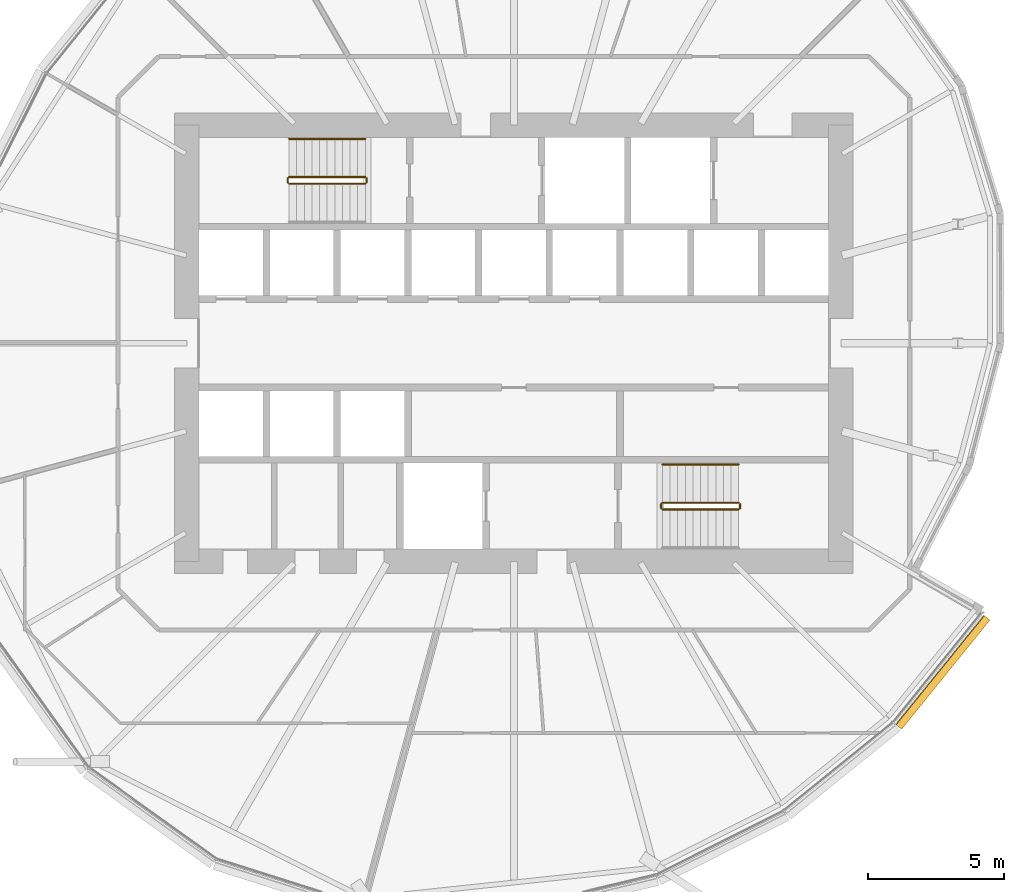
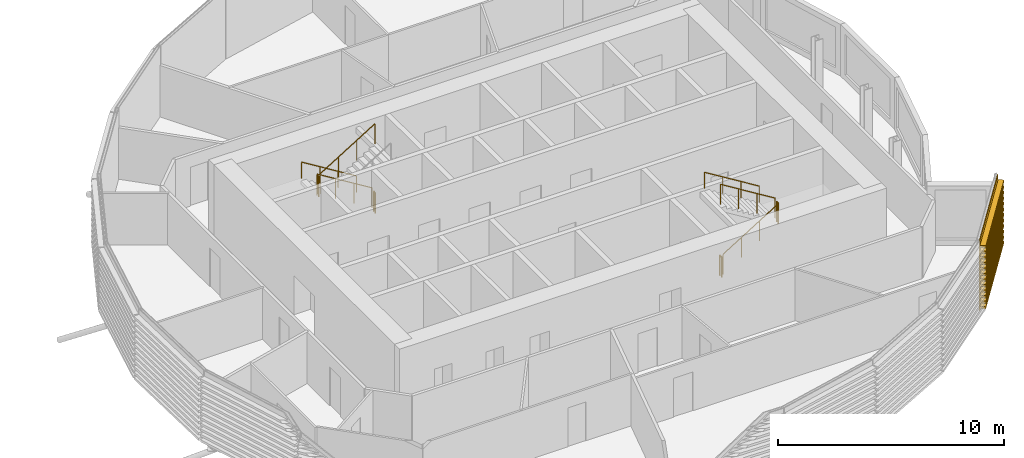
# One storey, part 35 of 36: 10 railings, 1 covering.
"""IFC4 building model written with IfcOpenShell, lengths in metres."""

import ifcopenshell
import ifcopenshell.guid

model = None  # the IFC model being written
_history = None  # IfcOwnerHistory: only IFC2X3 demands one
_inside = {}  # id of a spatial element -> (the spatial element, [elements in it])
_under = {}  # id of a project, library or spatial element -> (it, [spatial elements below it])
_declared = {}  # id of a project -> (the project, [libraries it declares])
_typed = {}  # id of a type object -> (the type object, [elements of that type])
_made_of = {}  # id of a material, layer set ... -> (it, [elements and type objects made of it])


def new_model(schema):
    """Start an empty IFC model of exactly this schema.

    Asked for "IFC4X3", IfcOpenShell would pick the latest addendum, in which some entities
    have other attributes; the version numbers below select the first issue.
    IFC2X3 requires an IfcOwnerHistory on every rooted entity: one is made here for all.
    """
    global model, _history
    if schema == "IFC4X3":
        model = ifcopenshell.file(schema_version=(4, 3, 0, 0))
    else:
        model = ifcopenshell.file(schema=schema)
    _inside.clear()
    _under.clear()
    _declared.clear()
    _typed.clear()
    _made_of.clear()
    _history = None
    if model.schema == "IFC2X3":
        org = make("IfcOrganization", Name="unknown")
        user = make(
            "IfcPersonAndOrganization",
            ThePerson=make("IfcPerson", FamilyName="unknown"),
            TheOrganization=org,
        )
        app = make(
            "IfcApplication",
            ApplicationDeveloper=org,
            Version="unknown",
            ApplicationFullName="unknown",
            ApplicationIdentifier="unknown",
        )
        _history = make(
            "IfcOwnerHistory",
            OwningUser=user,
            OwningApplication=app,
            ChangeAction="ADDED",
            CreationDate=0,
        )
    return model


def make(cls, **values):
    """One entity of the class cls with the attributes given. An attribute that is None is left unset."""
    return model.create_entity(
        cls, **{name: value for name, value in values.items() if value is not None}
    )


def rooted(cls, **values):
    """An entity with a GlobalId (a new one), such as an element, a storey or a relation."""
    return make(cls, GlobalId=ifcopenshell.guid.new(), OwnerHistory=_history, **values)


def si_unit(unit_type, name, prefix=None):
    """IfcSIUnit, for example si_unit("LENGTHUNIT", "METRE", prefix="MILLI")."""
    return make("IfcSIUnit", UnitType=unit_type, Prefix=prefix, Name=name)


def assignment(units):
    """IfcUnitAssignment: the units of a project."""
    return None if units is None else make("IfcUnitAssignment", Units=units)


def point(xyz):
    """IfcCartesianPoint."""
    return None if xyz is None else make("IfcCartesianPoint", Coordinates=xyz)


def direction(xyz):
    """IfcDirection."""
    return None if xyz is None else make("IfcDirection", DirectionRatios=xyz)


def frame(location, z_axis=None, x_axis=None):
    """IfcAxis2Placement3D, a coordinate frame: its origin and axes. An axis left out is left unset."""
    return make(
        "IfcAxis2Placement3D",
        Location=point(location),
        Axis=direction(z_axis),
        RefDirection=direction(x_axis),
    )


def frame_2d(location, x_axis=None):
    """IfcAxis2Placement2D, a coordinate frame in the plane: its origin and x axis."""
    return make(
        "IfcAxis2Placement2D", Location=point(location), RefDirection=direction(x_axis)
    )


def origin():
    """The frame at (0, 0, 0) with its axes left unset."""
    return frame((0.0, 0.0, 0.0))


def origin_2d():
    """The frame at (0, 0) in the plane with its x axis left unset."""
    return frame_2d((0.0, 0.0))


def place(relative_to, where):
    """IfcLocalPlacement: puts the frame where relative to a parent placement (None: the world)."""
    return make(
        "IfcLocalPlacement", PlacementRelTo=relative_to, RelativePlacement=where
    )


def context(
    kind, dimensions, precision=None, world=None, true_north=None, identifier=None
):
    """IfcGeometricRepresentationContext, for example the 3D "Model" context."""
    return make(
        "IfcGeometricRepresentationContext",
        ContextIdentifier=identifier,
        ContextType=kind,
        CoordinateSpaceDimension=dimensions,
        Precision=precision,
        WorldCoordinateSystem=world,
        TrueNorth=true_north,
    )


def subcontext(parent, identifier, kind, view, scale=None):
    """IfcGeometricRepresentationSubContext, for example "Body" below "Model"."""
    return make(
        "IfcGeometricRepresentationSubContext",
        ContextIdentifier=identifier,
        ContextType=kind,
        ParentContext=parent,
        TargetScale=scale,
        TargetView=view,
    )


def project(units=None, contexts=None):
    """IfcProject with its units and contexts."""
    return rooted(
        "IfcProject",
        Name="project",
        RepresentationContexts=contexts,
        UnitsInContext=assignment(units),
    )


def spatial(cls, under=None, at=None, **own):
    """A site, building, storey or space (cls), placed at a placement, below another one or the project."""
    s = rooted(cls, ObjectPlacement=at, **own)
    if under is not None:
        _under.setdefault(under.id(), (under, []))[1].append(s)
    return s


def polyline(points):
    """IfcPolyline through the points."""
    return make("IfcPolyline", Points=[point(p) for p in points])


def profile(cls, at=None, kind="AREA", **sizes):
    """A parametric profile (cls). Its sizes go by their IFC names, for example OverallWidth=200.0."""
    return make(cls, ProfileType=kind, Position=at, **sizes)


def circle(**sizes):
    """IfcCircleProfileDef."""
    return profile("IfcCircleProfileDef", **sizes)


def outline(outer, holes=None, kind="AREA"):
    """IfcArbitraryClosedProfileDef: a profile drawn as a closed curve; with holes, ...WithVoids."""
    if holes is None:
        return make("IfcArbitraryClosedProfileDef", ProfileType=kind, OuterCurve=outer)
    return make(
        "IfcArbitraryProfileDefWithVoids",
        ProfileType=kind,
        OuterCurve=outer,
        InnerCurves=holes,
    )


def extrude(swept, where, along, depth):
    """IfcExtrudedAreaSolid: the profile swept, set in the frame where, extruded along a direction by depth."""
    return make(
        "IfcExtrudedAreaSolid",
        SweptArea=swept,
        Position=where,
        ExtrudedDirection=direction(along),
        Depth=depth,
    )


def shape(context_of_items, identifier, shape_type, items):
    """IfcShapeRepresentation: the items that make up one representation, for example the "Body"."""
    return make(
        "IfcShapeRepresentation",
        ContextOfItems=context_of_items,
        RepresentationIdentifier=identifier,
        RepresentationType=shape_type,
        Items=items,
    )


def material(Name=None, Category=None):
    """IfcMaterial."""
    return make("IfcMaterial", Name=Name, Category=Category)


def material_profile(
    of_material, cross_section, Name=None, Category=None, Priority=None
):
    """IfcMaterialProfile: a cross section and its material."""
    return make(
        "IfcMaterialProfile",
        Name=Name,
        Material=of_material,
        Profile=cross_section,
        Priority=Priority,
        Category=Category,
    )


def profile_set(profiles, Name=None, composite=None):
    """IfcMaterialProfileSet."""
    return make(
        "IfcMaterialProfileSet",
        Name=Name,
        MaterialProfiles=profiles,
        CompositeProfile=composite,
    )


def made_of(thing, what):
    """Note that an element or type object is made of a material, layer set ...; save() writes the relation."""
    if what is not None:
        _made_of.setdefault(what.id(), (what, []))[1].append(thing)
    return thing


def type_object(cls, material=None, **own):
    """A type object (cls), such as IfcWallType, which elements share."""
    return made_of(rooted(cls, **own), material)


def element(
    cls,
    number,
    at=None,
    inside=None,
    cuts=None,
    type_object=None,
    material=None,
    context=None,
    identifier="Body",
    shape_type=None,
    held_by="IfcProductDefinitionShape",
    body=None,
    shapes=None,
    **own,
):
    """One element of the class cls, such as IfcWall. Its Tag is "e" and its number.

    at: its placement. inside: the storey or other place that contains it. cuts: it is an
    opening in that element (IfcRelVoidsElement). A single representation is given by context,
    identifier, shape_type and body (its items); several are given by shapes. held_by: the class
    of the entity that holds the representations. save() writes the other relations.
    """
    e = rooted(cls, Tag="e%d" % number, ObjectPlacement=at, **own)
    if body is not None:
        shapes = [shape(context, identifier, shape_type, body)]
    if shapes is not None:
        e.Representation = make(held_by, Representations=shapes)
    if inside is not None:
        _inside.setdefault(inside.id(), (inside, []))[1].append(e)
    if cuts is not None:
        rooted(
            "IfcRelVoidsElement", RelatingBuildingElement=cuts, RelatedOpeningElement=e
        )
    if type_object is not None:
        _typed.setdefault(type_object.id(), (type_object, []))[1].append(e)
    return made_of(e, material)


def aggregate(whole, parts):
    """IfcRelAggregates: a whole, such as a stair, and the parts it consists of."""
    return rooted("IfcRelAggregates", RelatingObject=whole, RelatedObjects=parts)


def save(model, path):
    """Write the relations noted so far, then the file.

    IfcRelAggregates (storeys below a building ...), IfcRelContainedInSpatialStructure (elements
    in a storey), IfcRelDefinesByType, IfcRelAssociatesMaterial and IfcRelDeclares: one each for
    every whole, place, type object, material and project.
    """
    for whole, parts in _under.values():
        aggregate(whole, parts)
    for where, things in _inside.values():
        rooted(
            "IfcRelContainedInSpatialStructure",
            RelatedElements=things,
            RelatingStructure=where,
        )
    for kind, things in _typed.values():
        rooted("IfcRelDefinesByType", RelatedObjects=things, RelatingType=kind)
    for what, things in _made_of.values():
        rooted("IfcRelAssociatesMaterial", RelatedObjects=things, RelatingMaterial=what)
    for by, libraries in _declared.values():
        rooted("IfcRelDeclares", RelatingContext=by, RelatedDefinitions=libraries)
    model.write(path)


model = new_model("IFC4")

# Units and contexts
model_context = context("Model", 3, precision=1e-05, world=origin(), true_north=direction((0.0, 1.0)))
body_context = subcontext(model_context, "Body", "Model", "MODEL_VIEW")
ifc_project = project(units=[si_unit("LENGTHUNIT", "METRE"), si_unit("AREAUNIT", "SQUARE_METRE"), si_unit("VOLUMEUNIT", "CUBIC_METRE"), si_unit("PLANEANGLEUNIT", "RADIAN"), si_unit("MASSUNIT", "GRAM", prefix="KILO")], contexts=[model_context])

# Site, building, storey
site_placement = place(None, origin())
site = spatial("IfcSite", under=ifc_project, at=site_placement, CompositionType="ELEMENT")
building_placement = place(site_placement, origin())
building = spatial("IfcBuilding", under=site, at=building_placement, Name="Rimbun Link Towers", CompositionType="ELEMENT")
storey_placement = place(building_placement, frame((0.0, 0.0, 37.60009765625)))
storey = spatial("IfcBuildingStorey", under=building, at=storey_placement, Name="L08", CompositionType="ELEMENT", Elevation=37.60009765625)

# Railings
ifc_material_1 = material(Name="Stainless steel grade 316", Category="steel")
railing_type_1 = type_object("IfcRailingType", Name="Stair guard", PredefinedType="GUARDRAIL", material=ifc_material_1)
railing_1_placement = place(storey_placement, frame((26.300048828125, 6.10009765625, 0.172607421875)))
element("IfcRailing", 1, at=railing_1_placement, inside=storey, type_object=railing_type_1, Name="L08 ST3 stair guard 1", PredefinedType="GUARDRAIL", context=body_context, shape_type="SweptSolid", body=[
    extrude(circle(Radius=0.02392578125, at=origin_2d()), frame((0.0, 0.0, 1.076171875), z_axis=(-0.851089632645, 0.0, 0.525020415988), x_axis=(0.0, -1.0, 0.0)), (0.0, 0.0, 1.0), 3.2900390625),
    extrude(circle(Radius=0.02099609375, at=origin_2d()), origin(), (0.0, 0.0, 1.0), 1.052001953125),
    extrude(circle(Radius=0.02099609375, at=origin_2d()), frame((-0.933349609375, 0.0, 0.57568359375)), (0.0, 0.0, 1.0), 1.052001953125),
    extrude(circle(Radius=0.02099609375, at=origin_2d()), frame((-1.86669921875, 0.0, 1.151611328125)), (0.0, 0.0, 1.0), 1.052001953125),
    extrude(circle(Radius=0.02099609375, at=origin_2d()), frame((-2.800048828125, 0.0, 1.727294921875)), (0.0, 0.0, 1.0), 1.052001953125),
])
railing_2_placement = place(storey_placement, frame((23.449951171875, 6.050048828125, 1.89990234375)))
element("IfcRailing", 2, at=railing_2_placement, inside=storey, type_object=railing_type_1, Name="L08 ST3 stair guard 2", PredefinedType="GUARDRAIL", context=body_context, shape_type="SweptSolid", body=[
    extrude(circle(Radius=0.02392578125, at=origin_2d()), frame((0.0, 0.0, 1.076171875), z_axis=(0.0, -1.0, 0.0), x_axis=(1.0, 0.0, 0.0)), (0.0, 0.0, 1.0), 0.150146484375),
    extrude(circle(Radius=0.02099609375, at=origin_2d()), origin(), (0.0, 0.0, 1.0), 1.052001953125),
    extrude(circle(Radius=0.02099609375, at=origin_2d()), frame((0.0, -0.150146484375, 0.0)), (0.0, 0.0, 1.0), 1.052001953125),
])
railing_3_placement = place(storey_placement, frame((23.5, 5.85009765625, 2.072509765625)))
element("IfcRailing", 3, at=railing_3_placement, inside=storey, type_object=railing_type_1, Name="L08 ST3 stair guard 3", PredefinedType="GUARDRAIL", context=body_context, shape_type="SweptSolid", body=[
    extrude(circle(Radius=0.02392578125, at=origin_2d()), frame((0.0, 0.0, 1.076171875), z_axis=(0.851089632645, 0.0, 0.525020415988), x_axis=(0.0, 1.0, 0.0)), (0.0, 0.0, 1.0), 3.2900390625),
    extrude(circle(Radius=0.02099609375, at=origin_2d()), origin(), (0.0, 0.0, 1.0), 1.052001953125),
    extrude(circle(Radius=0.02099609375, at=origin_2d()), frame((0.933349609375, 0.0, 0.57568359375)), (0.0, 0.0, 1.0), 1.052001953125),
    extrude(circle(Radius=0.02099609375, at=origin_2d()), frame((1.86669921875, 0.0, 1.151611328125)), (0.0, 0.0, 1.0), 1.052001953125),
    extrude(circle(Radius=0.02099609375, at=origin_2d()), frame((2.800048828125, 0.0, 1.727294921875)), (0.0, 0.0, 1.0), 1.052001953125),
])
railing_4_placement = place(storey_placement, frame((26.35009765625, 6.050048828125, 0.0)))
element("IfcRailing", 4, at=railing_4_placement, inside=storey, type_object=railing_type_1, Name="L08 ST3 stair guard 4", PredefinedType="GUARDRAIL", context=body_context, shape_type="SweptSolid", body=[
    extrude(circle(Radius=0.02392578125, at=origin_2d()), frame((0.0, 0.0, 1.076171875), z_axis=(0.0, -1.0, 0.0), x_axis=(1.0, 0.0, 0.0)), (0.0, 0.0, 1.0), 0.150146484375),
    extrude(circle(Radius=0.02099609375, at=origin_2d()), origin(), (0.0, 0.0, 1.0), 1.052001953125),
    extrude(circle(Radius=0.02099609375, at=origin_2d()), frame((0.0, -0.150146484375, 0.0)), (0.0, 0.0, 1.0), 1.052001953125),
])
railing_5_placement = place(storey_placement, frame((37.199951171875, -6.10009765625, 0.172607421875)))
element("IfcRailing", 5, at=railing_5_placement, inside=storey, type_object=railing_type_1, Name="L08 ST4 stair guard 1", PredefinedType="GUARDRAIL", context=body_context, shape_type="SweptSolid", body=[
    extrude(circle(Radius=0.02392578125, at=origin_2d()), frame((0.0, 0.0, 1.076171875), z_axis=(0.851089632645, 0.0, 0.525020415988), x_axis=(0.0, 1.0, 0.0)), (0.0, 0.0, 1.0), 3.2900390625),
    extrude(circle(Radius=0.02099609375, at=origin_2d()), origin(), (0.0, 0.0, 1.0), 1.052001953125),
    extrude(circle(Radius=0.02099609375, at=origin_2d()), frame((0.933349609375, 0.0, 0.57568359375)), (0.0, 0.0, 1.0), 1.052001953125),
    extrude(circle(Radius=0.02099609375, at=origin_2d()), frame((1.86669921875, 0.0, 1.151611328125)), (0.0, 0.0, 1.0), 1.052001953125),
    extrude(circle(Radius=0.02099609375, at=origin_2d()), frame((2.800048828125, 0.0, 1.727294921875)), (0.0, 0.0, 1.0), 1.052001953125),
])
railing_6_placement = place(storey_placement, frame((40.050048828125, -6.050048828125, 1.89990234375)))
element("IfcRailing", 6, at=railing_6_placement, inside=storey, type_object=railing_type_1, Name="L08 ST4 stair guard 2", PredefinedType="GUARDRAIL", context=body_context, shape_type="SweptSolid", body=[
    extrude(circle(Radius=0.02392578125, at=origin_2d()), frame((0.0, 0.0, 1.076171875), z_axis=(0.0, 1.0, 0.0), x_axis=(-1.0, 0.0, 0.0)), (0.0, 0.0, 1.0), 0.150146484375),
    extrude(circle(Radius=0.02099609375, at=origin_2d()), origin(), (0.0, 0.0, 1.0), 1.052001953125),
    extrude(circle(Radius=0.02099609375, at=origin_2d()), frame((0.0, 0.150146484375, 0.0)), (0.0, 0.0, 1.0), 1.052001953125),
])
railing_7_placement = place(storey_placement, frame((40.0, -5.85009765625, 2.072509765625)))
element("IfcRailing", 7, at=railing_7_placement, inside=storey, type_object=railing_type_1, Name="L08 ST4 stair guard 3", PredefinedType="GUARDRAIL", context=body_context, shape_type="SweptSolid", body=[
    extrude(circle(Radius=0.02392578125, at=origin_2d()), frame((0.0, 0.0, 1.076171875), z_axis=(-0.851089632645, 0.0, 0.525020415988), x_axis=(0.0, -1.0, 0.0)), (0.0, 0.0, 1.0), 3.2900390625),
    extrude(circle(Radius=0.02099609375, at=origin_2d()), origin(), (0.0, 0.0, 1.0), 1.052001953125),
    extrude(circle(Radius=0.02099609375, at=origin_2d()), frame((-0.933349609375, 0.0, 0.57568359375)), (0.0, 0.0, 1.0), 1.052001953125),
    extrude(circle(Radius=0.02099609375, at=origin_2d()), frame((-1.86669921875, 0.0, 1.151611328125)), (0.0, 0.0, 1.0), 1.052001953125),
    extrude(circle(Radius=0.02099609375, at=origin_2d()), frame((-2.800048828125, 0.0, 1.727294921875)), (0.0, 0.0, 1.0), 1.052001953125),
])
railing_8_placement = place(storey_placement, frame((37.14990234375, -6.050048828125, 0.0)))
element("IfcRailing", 8, at=railing_8_placement, inside=storey, type_object=railing_type_1, Name="L08 ST4 stair guard 4", PredefinedType="GUARDRAIL", context=body_context, shape_type="SweptSolid", body=[
    extrude(circle(Radius=0.02392578125, at=origin_2d()), frame((0.0, 0.0, 1.076171875), z_axis=(0.0, 1.0, 0.0), x_axis=(-1.0, 0.0, 0.0)), (0.0, 0.0, 1.0), 0.150146484375),
    extrude(circle(Radius=0.02099609375, at=origin_2d()), origin(), (0.0, 0.0, 1.0), 1.052001953125),
    extrude(circle(Radius=0.02099609375, at=origin_2d()), frame((0.0, 0.150146484375, 0.0)), (0.0, 0.0, 1.0), 1.052001953125),
])
ifc_material_2 = material(Name="Stainless steel grade 316", Category="steel")
railing_type_2 = type_object("IfcRailingType", Name="Stair handrail", PredefinedType="HANDRAIL", material=ifc_material_2)
for number, where, name in (
    (9, (26.300048828125, 7.5, 0.172607421875), "L08 ST3 stair handrail 1"),
    (10, (40.0, -4.449951171875, 2.072509765625), "L08 ST4 stair handrail 2"),
):
    element("IfcRailing", number, at=place(storey_placement, frame(where)), inside=storey, type_object=railing_type_2, Name=name, PredefinedType="HANDRAIL", context=body_context, shape_type="SweptSolid", body=[
        extrude(circle(Radius=0.02392578125, at=origin_2d()), frame((0.0, 0.0, 0.8759765625), z_axis=(-0.851089632645, 0.0, 0.525020415988), x_axis=(0.0, -1.0, 0.0)), (0.0, 0.0, 1.0), 3.2900390625),
        extrude(circle(Radius=0.02099609375, at=origin_2d()), origin(), (0.0, 0.0, 1.0), 0.851806640625),
        extrude(circle(Radius=0.02099609375, at=origin_2d()), frame((-0.933349609375, 0.0, 0.57568359375)), (0.0, 0.0, 1.0), 0.851806640625),
        extrude(circle(Radius=0.02099609375, at=origin_2d()), frame((-1.86669921875, 0.0, 1.151611328125)), (0.0, 0.0, 1.0), 0.851806640625),
        extrude(circle(Radius=0.02099609375, at=origin_2d()), frame((-2.800048828125, 0.0, 1.727294921875)), (0.0, 0.0, 1.0), 0.851806640625),
    ])

# Covering
ifc_material_3 = material(Name="Terracotta", Category="masonry")
ifc_material_profile = material_profile(ifc_material_3, outline(polyline([(0.123046875, 0.0), (0.1630859375, 0.0), (0.1630859375, 0.10009765625), (0.423095703125, 0.10009765625), (0.423095703125, 0.219970703125), (0.1630859375, 0.219970703125), (0.1630859375, 0.39990234375), (0.423095703125, 0.39990234375), (0.423095703125, 0.52001953125), (0.1630859375, 0.52001953125), (0.1630859375, 0.699951171875), (0.423095703125, 0.699951171875), (0.423095703125, 0.820068359375), (0.1630859375, 0.820068359375), (0.1630859375, 1.0), (0.423095703125, 1.0), (0.423095703125, 1.1201171875), (0.1630859375, 1.1201171875), (0.1630859375, 1.300048828125), (0.423095703125, 1.300048828125), (0.423095703125, 1.419921875), (0.1630859375, 1.419921875), (0.1630859375, 1.60009765625), (0.423095703125, 1.60009765625), (0.423095703125, 1.719970703125), (0.1630859375, 1.719970703125), (0.1630859375, 1.89990234375), (0.423095703125, 1.89990234375), (0.423095703125, 2.02001953125), (0.1630859375, 2.02001953125), (0.1630859375, 2.199951171875), (0.423095703125, 2.199951171875), (0.423095703125, 2.320068359375), (0.1630859375, 2.320068359375), (0.1630859375, 2.5), (0.423095703125, 2.5), (0.423095703125, 2.6201171875), (0.1630859375, 2.6201171875), (0.1630859375, 2.800048828125), (0.423095703125, 2.800048828125), (0.423095703125, 2.919921875), (0.1630859375, 2.919921875), (0.1630859375, 3.10009765625), (0.423095703125, 3.10009765625), (0.423095703125, 3.219970703125), (0.1630859375, 3.219970703125), (0.1630859375, 3.39990234375), (0.423095703125, 3.39990234375), (0.423095703125, 3.52001953125), (0.1630859375, 3.52001953125), (0.1630859375, 3.800048828125), (0.123046875, 3.800048828125), (0.123046875, 0.0)])), Name="BAGUETTE 120X300")
ifc_profile_set = profile_set([ifc_material_profile], Name="Terracotta")
covering_type = type_object("IfcCoveringType", Name="TERRACOTTA BAGUETTE 120X300 H3800", PredefinedType="CLADDING", material=ifc_profile_set)
covering_placement = place(storey_placement, frame((48.8876953125, -9.89453125, 0.0), z_axis=(-0.629119129565, -0.777308896653, 0.0), x_axis=(0.777308896653, -0.629119129565, 0.0)))
element("IfcCovering", 11, at=covering_placement, inside=storey, type_object=covering_type, Name="TERRACOTTA BAGUETTE", PredefinedType="CLADDING", context=body_context, shape_type="SweptSolid", body=[
    extrude(outline(polyline([(0.123046875, 0.0), (0.1630859375, 0.0), (0.1630859375, 0.10009765625), (0.423095703125, 0.10009765625), (0.423095703125, 0.219970703125), (0.1630859375, 0.219970703125), (0.1630859375, 0.39990234375), (0.423095703125, 0.39990234375), (0.423095703125, 0.52001953125), (0.1630859375, 0.52001953125), (0.1630859375, 0.699951171875), (0.423095703125, 0.699951171875), (0.423095703125, 0.820068359375), (0.1630859375, 0.820068359375), (0.1630859375, 1.0), (0.423095703125, 1.0), (0.423095703125, 1.1201171875), (0.1630859375, 1.1201171875), (0.1630859375, 1.300048828125), (0.423095703125, 1.300048828125), (0.423095703125, 1.419921875), (0.1630859375, 1.419921875), (0.1630859375, 1.60009765625), (0.423095703125, 1.60009765625), (0.423095703125, 1.719970703125), (0.1630859375, 1.719970703125), (0.1630859375, 1.89990234375), (0.423095703125, 1.89990234375), (0.423095703125, 2.02001953125), (0.1630859375, 2.02001953125), (0.1630859375, 2.199951171875), (0.423095703125, 2.199951171875), (0.423095703125, 2.320068359375), (0.1630859375, 2.320068359375), (0.1630859375, 2.5), (0.423095703125, 2.5), (0.423095703125, 2.6201171875), (0.1630859375, 2.6201171875), (0.1630859375, 2.800048828125), (0.423095703125, 2.800048828125), (0.423095703125, 2.919921875), (0.1630859375, 2.919921875), (0.1630859375, 3.10009765625), (0.423095703125, 3.10009765625), (0.423095703125, 3.219970703125), (0.1630859375, 3.219970703125), (0.1630859375, 3.39990234375), (0.423095703125, 3.39990234375), (0.423095703125, 3.52001953125), (0.1630859375, 3.52001953125), (0.1630859375, 3.800048828125), (0.123046875, 3.800048828125), (0.123046875, 0.0)])), origin(), (0.0, 0.0, 1.0), 5.150146484375),
])

save(model, "model.ifc")
